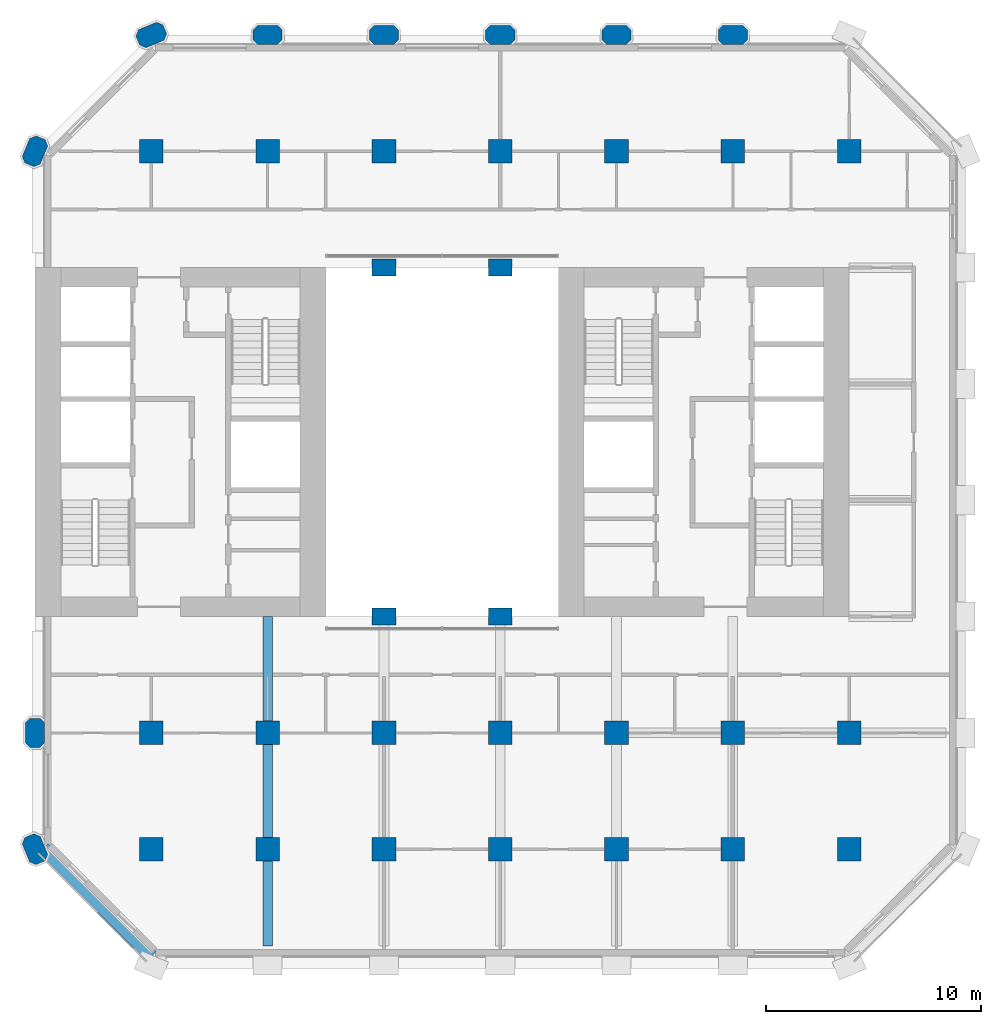
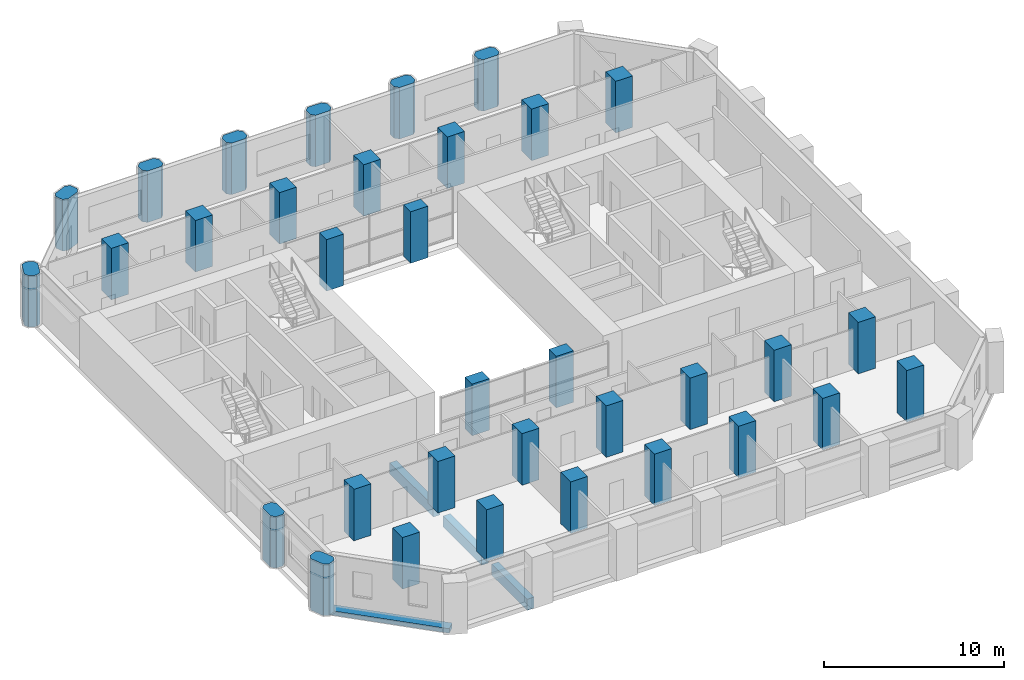
# One storey, part 1 of 13: 34 columns, 4 beams.
"""IFC4 building model written with IfcOpenShell, lengths in metres."""

from ifc_helpers import new_model, si_unit, direction, frame, origin, origin_2d, place, context, subcontext, project, spatial, polyline, rectangle, outline, extrude, material, material_profile, profile_set, type_object, element, save


model = new_model("IFC4")

# Units and contexts
model_context = context("Model", 3, precision=1e-05, world=origin(), true_north=direction((0.0, 1.0)))
body_context = subcontext(model_context, "Body", "Model", "MODEL_VIEW")
ifc_project = project(units=[si_unit("LENGTHUNIT", "METRE"), si_unit("AREAUNIT", "SQUARE_METRE"), si_unit("VOLUMEUNIT", "CUBIC_METRE"), si_unit("PLANEANGLEUNIT", "RADIAN"), si_unit("MASSUNIT", "GRAM", prefix="KILO")], contexts=[model_context])

# Site, building, storey
site_placement = place(None, origin())
site = spatial("IfcSite", under=ifc_project, at=site_placement, CompositionType="ELEMENT")
building_placement = place(site_placement, origin())
building = spatial("IfcBuilding", under=site, at=building_placement, Name="Tabaq Tower and Sports Hall", CompositionType="ELEMENT")
storey_placement = place(building_placement, frame((0.0, 0.0, 37.39990234375)))
storey = spatial("IfcBuildingStorey", under=building, at=storey_placement, Name="L07", CompositionType="ELEMENT", Elevation=37.39990234375)

# Columns
ifc_material_1 = material(Name="Concrete C60/75", Category="concrete")
ifc_material_profile_1 = material_profile(ifc_material_1, rectangle(XDim=1.10009765625, YDim=0.800048828125, at=origin_2d()), Name="ATRIUM COLUMN 1100x800")
ifc_profile_set_1 = profile_set([ifc_material_profile_1], Name="Concrete C60/75")
column_type_1 = type_object("IfcColumnType", Name="RC COLUMN ATRIUM COLUMN 1100x800 C60/75", PredefinedType="COLUMN", material=ifc_profile_set_1)
for number, where, z_axis, x_axis, name in (
    (1, (21.60009765625, 16.199951171875, 0.0), (0.0, 0.0, 1.0), (1.0, 0.0, 0.0), "Atrium Column 5/D L07"),
    (2, (27.0, 16.199951171875, 0.0), (0.0, 0.0, 1.0), (1.0, 0.0, 0.0), "Atrium Column 6/D L07"),
    (3, (21.60009765625, 32.39990234375, 0.0), (0.0, 0.0, 1.0), (1.0, 0.0, 0.0), "Atrium Column 5/G L07"),
    (4, (27.0, 32.39990234375, 0.0), (0.0, 0.0, 1.0), (1.0, 0.0, 0.0), "Atrium Column 6/G L07"),
):
    element("IfcColumn", number, at=place(storey_placement, frame(where, z_axis=z_axis, x_axis=x_axis)), inside=storey, type_object=column_type_1, Name=name, PredefinedType="COLUMN", context=body_context, shape_type="SweptSolid", body=[
        extrude(rectangle(XDim=1.10009765625, YDim=0.800048828125, at=origin_2d()), origin(), (0.0, 0.0, 1.0), 3.5),
    ])
ifc_material_2 = material(Name="Concrete C60/75", Category="concrete")
ifc_material_profile_2 = material_profile(ifc_material_2, rectangle(XDim=1.10009765625, YDim=1.10009765625, at=origin_2d()), Name="COLUMN 1100x1100")
ifc_profile_set_2 = profile_set([ifc_material_profile_2], Name="Concrete C60/75")
column_type_2 = type_object("IfcColumnType", Name="RC COLUMN COLUMN 1100x1100 C60/75", PredefinedType="COLUMN", material=ifc_profile_set_2)
for number, where, z_axis, x_axis, name in (
    (5, (10.800048828125, 5.39990234375, 0.0), (0.0, 0.0, 1.0), (1.0, 0.0, 0.0), "Column 3/B L07"),
    (6, (16.199951171875, 5.39990234375, 0.0), (0.0, 0.0, 1.0), (1.0, 0.0, 0.0), "Column 4/B L07"),
    (7, (21.60009765625, 5.39990234375, 0.0), (0.0, 0.0, 1.0), (1.0, 0.0, 0.0), "Column 5/B L07"),
    (8, (27.0, 5.39990234375, 0.0), (0.0, 0.0, 1.0), (1.0, 0.0, 0.0), "Column 6/B L07"),
    (9, (32.39990234375, 5.39990234375, 0.0), (0.0, 0.0, 1.0), (1.0, 0.0, 0.0), "Column 7/B L07"),
    (10, (37.800048828125, 5.39990234375, 0.0), (0.0, 0.0, 1.0), (1.0, 0.0, 0.0), "Column 8/B L07"),
    (11, (43.199951171875, 5.39990234375, 0.0), (0.0, 0.0, 1.0), (1.0, 0.0, 0.0), "Column 9/B L07"),
    (12, (10.800048828125, 10.800048828125, 0.0), (0.0, 0.0, 1.0), (1.0, 0.0, 0.0), "Column 3/C L07"),
    (13, (16.199951171875, 10.800048828125, 0.0), (0.0, 0.0, 1.0), (1.0, 0.0, 0.0), "Column 4/C L07"),
    (14, (21.60009765625, 10.800048828125, 0.0), (0.0, 0.0, 1.0), (1.0, 0.0, 0.0), "Column 5/C L07"),
    (15, (27.0, 10.800048828125, 0.0), (0.0, 0.0, 1.0), (1.0, 0.0, 0.0), "Column 6/C L07"),
    (16, (32.39990234375, 10.800048828125, 0.0), (0.0, 0.0, 1.0), (1.0, 0.0, 0.0), "Column 7/C L07"),
    (17, (37.800048828125, 10.800048828125, 0.0), (0.0, 0.0, 1.0), (1.0, 0.0, 0.0), "Column 8/C L07"),
    (18, (43.199951171875, 10.800048828125, 0.0), (0.0, 0.0, 1.0), (1.0, 0.0, 0.0), "Column 9/C L07"),
    (19, (10.800048828125, 37.800048828125, 0.0), (0.0, 0.0, 1.0), (1.0, 0.0, 0.0), "Column 3/H L07"),
    (20, (16.199951171875, 37.800048828125, 0.0), (0.0, 0.0, 1.0), (1.0, 0.0, 0.0), "Column 4/H L07"),
    (21, (21.60009765625, 37.800048828125, 0.0), (0.0, 0.0, 1.0), (1.0, 0.0, 0.0), "Column 5/H L07"),
    (22, (27.0, 37.800048828125, 0.0), (0.0, 0.0, 1.0), (1.0, 0.0, 0.0), "Column 6/H L07"),
    (23, (32.39990234375, 37.800048828125, 0.0), (0.0, 0.0, 1.0), (1.0, 0.0, 0.0), "Column 7/H L07"),
    (24, (37.800048828125, 37.800048828125, 0.0), (0.0, 0.0, 1.0), (1.0, 0.0, 0.0), "Column 8/H L07"),
    (25, (43.199951171875, 37.800048828125, 0.0), (0.0, 0.0, 1.0), (1.0, 0.0, 0.0), "Column 9/H L07"),
):
    element("IfcColumn", number, at=place(storey_placement, frame(where, z_axis=z_axis, x_axis=x_axis)), inside=storey, type_object=column_type_2, Name=name, PredefinedType="COLUMN", context=body_context, shape_type="SweptSolid", body=[
        extrude(rectangle(XDim=1.10009765625, YDim=1.10009765625, at=origin_2d()), origin(), (0.0, 0.0, 1.0), 3.5),
    ])
ifc_material_3 = material(Name="Concrete C60/75", Category="concrete")
ifc_material_profile_3 = material_profile(ifc_material_3, outline(polyline([(-0.449951171875, -0.449951171875), (0.449951171875, -0.449951171875), (0.675048828125, -0.22509765625), (0.675048828125, 0.22509765625), (0.449951171875, 0.449951171875), (-0.449951171875, 0.449951171875), (-0.675048828125, 0.22509765625), (-0.675048828125, -0.22509765625), (-0.449951171875, -0.449951171875)])), Name="PIER 1350x900")
ifc_profile_set_3 = profile_set([ifc_material_profile_3], Name="Concrete C60/75")
column_type_3 = type_object("IfcColumnType", Name="RC COLUMN PIER 1350x900 C60/75", PredefinedType="COLUMN", material=ifc_profile_set_3)
for number, where, z_axis, x_axis, name in (
    (26, (5.39990234375, 5.39990234375, 0.0), (0.0, 0.0, 1.0), (-0.382683432365, 0.923879532511, 0.0), "Pier 2/B L07"),
    (27, (5.39990234375, 10.800048828125, 0.0), (0.0, 0.0, 1.0), (0.0, 1.0, 0.0), "Pier 2/C L07"),
    (28, (5.39990234375, 37.800048828125, 0.0), (0.0, 0.0, 1.0), (0.382683432365, 0.923879532511, 0.0), "Pier 2/H L07"),
    (29, (10.800048828125, 43.199951171875, 0.0), (0.0, 0.0, 1.0), (0.923879532511, 0.382683432365, 0.0), "Pier 3/I L07"),
    (30, (16.199951171875, 43.199951171875, 0.0), (0.0, 0.0, 1.0), (1.0, 0.0, 0.0), "Pier 4/I L07"),
    (31, (21.60009765625, 43.199951171875, 0.0), (0.0, 0.0, 1.0), (1.0, 0.0, 0.0), "Pier 5/I L07"),
    (32, (27.0, 43.199951171875, 0.0), (0.0, 0.0, 1.0), (1.0, 0.0, 0.0), "Pier 6/I L07"),
    (33, (32.39990234375, 43.199951171875, 0.0), (0.0, 0.0, 1.0), (1.0, 0.0, 0.0), "Pier 7/I L07"),
    (34, (37.800048828125, 43.199951171875, 0.0), (0.0, 0.0, 1.0), (1.0, 0.0, 0.0), "Pier 8/I L07"),
):
    element("IfcColumn", number, at=place(storey_placement, frame(where, z_axis=z_axis, x_axis=x_axis)), inside=storey, type_object=column_type_3, Name=name, PredefinedType="COLUMN", context=body_context, shape_type="SweptSolid", body=[
        extrude(outline(polyline([(-0.449951171875, -0.449951171875), (0.449951171875, -0.449951171875), (0.675048828125, -0.22509765625), (0.675048828125, 0.22509765625), (0.449951171875, 0.449951171875), (-0.449951171875, 0.449951171875), (-0.675048828125, 0.22509765625), (-0.675048828125, -0.22509765625), (-0.449951171875, -0.449951171875)])), origin(), (0.0, 0.0, 1.0), 3.5),
    ])

# Beams
ifc_material_4 = material(Name="Concrete C40/50", Category="concrete")
ifc_material_profile_4 = material_profile(ifc_material_4, rectangle(XDim=0.449951171875, YDim=0.75, at=origin_2d()), Name="CB 450x750")
ifc_profile_set_4 = profile_set([ifc_material_profile_4], Name="Concrete C40/50")
beam_type_1 = type_object("IfcBeamType", Name="PT CANTILEVER BEAM CB 450x750 C40/50", PredefinedType="BEAM", material=ifc_profile_set_4)
beam_1_placement = place(storey_placement, frame((16.199951171875, 0.89990234375, -0.6748046875), z_axis=(0.0, 1.0, 0.0), x_axis=(-1.0, 0.0, 0.0)))
element("IfcBeam", 35, at=beam_1_placement, inside=storey, type_object=beam_type_1, Name="Cantilever Beam L07 S3 span 1", PredefinedType="BEAM", context=body_context, shape_type="SweptSolid", body=[
    extrude(rectangle(XDim=0.449951171875, YDim=0.75, at=origin_2d()), origin(), (0.0, 0.0, 1.0), 3.9501953125),
])
beam_2_placement = place(storey_placement, frame((16.199951171875, 5.949951171875, -0.6748046875), z_axis=(0.0, 1.0, 0.0), x_axis=(-1.0, 0.0, 0.0)))
element("IfcBeam", 36, at=beam_2_placement, inside=storey, type_object=beam_type_1, Name="Cantilever Beam L07 S3 span 2", PredefinedType="BEAM", context=body_context, shape_type="SweptSolid", body=[
    extrude(rectangle(XDim=0.449951171875, YDim=0.75, at=origin_2d()), origin(), (0.0, 0.0, 1.0), 4.300048828125),
])
beam_3_placement = place(storey_placement, frame((16.199951171875, 11.35009765625, -0.6748046875), z_axis=(0.0, 1.0, 0.0), x_axis=(-1.0, 0.0, 0.0)))
element("IfcBeam", 37, at=beam_3_placement, inside=storey, type_object=beam_type_1, Name="Cantilever Beam L07 S3 span 3", PredefinedType="BEAM", context=body_context, shape_type="SweptSolid", body=[
    extrude(rectangle(XDim=0.449951171875, YDim=0.75, at=origin_2d()), origin(), (0.0, 0.0, 1.0), 4.849853515625),
])
ifc_material_5 = material(Name="Concrete C40/50", Category="concrete")
ifc_material_profile_5 = material_profile(ifc_material_5, rectangle(XDim=0.60009765625, YDim=0.300048828125, at=origin_2d()), Name="EB 600x300")
ifc_profile_set_5 = profile_set([ifc_material_profile_5], Name="Concrete C40/50")
beam_type_2 = type_object("IfcBeamType", Name="PT EDGE BEAM EB 600x300 C40/50", PredefinedType="SPANDREL", material=ifc_profile_set_5)
beam_4_placement = place(storey_placement, frame((5.788818359375, 5.435302734375, -0.14990234375), z_axis=(0.707124002701, -0.707089559252, 0.0), x_axis=(0.707089559252, 0.707124002701, 0.0)))
element("IfcBeam", 38, at=beam_4_placement, inside=storey, type_object=beam_type_2, Name="Edge Beam L07 5", PredefinedType="SPANDREL", context=body_context, shape_type="SweptSolid", body=[
    extrude(rectangle(XDim=0.60009765625, YDim=0.300048828125, at=origin_2d()), origin(), (0.0, 0.0, 1.0), 7.088134765625),
])

save(model, "model.ifc")
